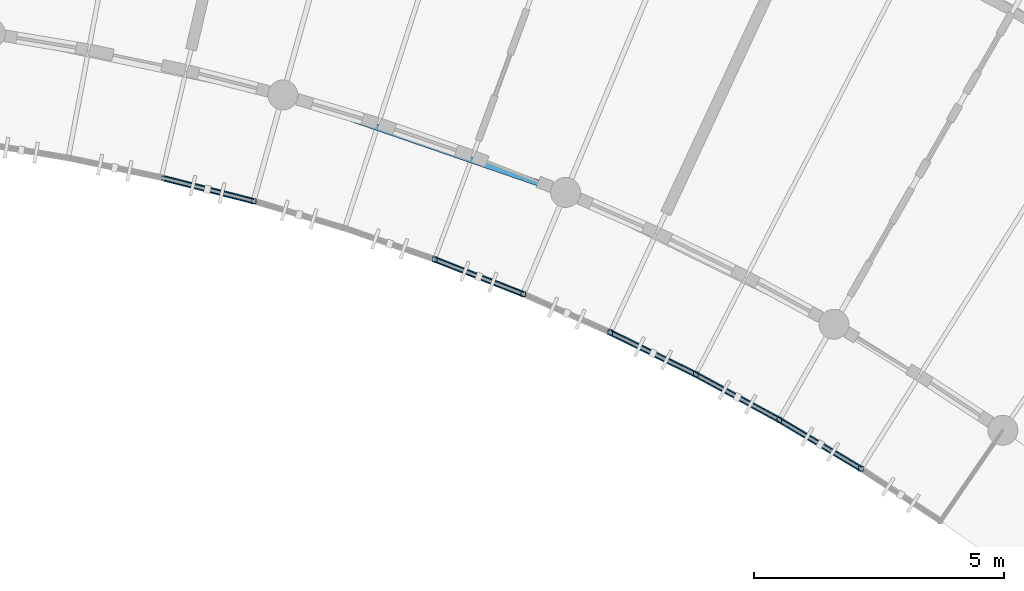
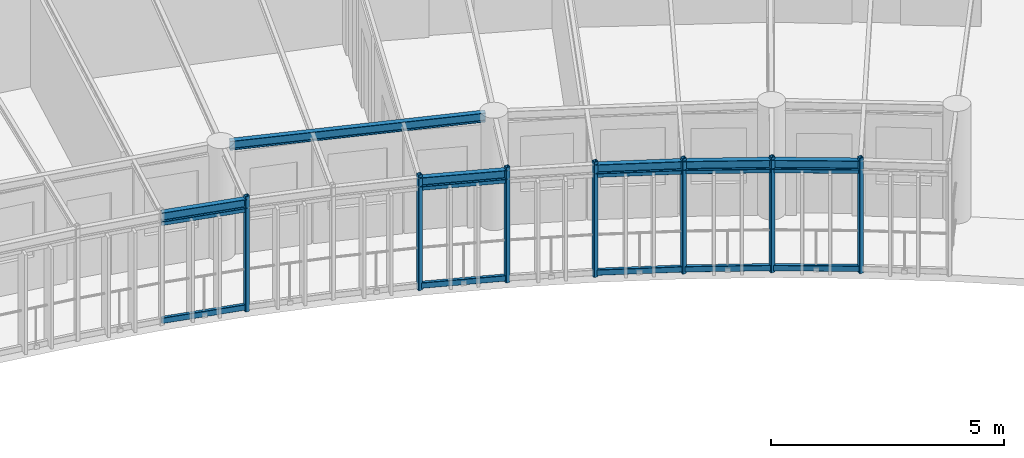
# One storey, part 38 of 100: 17 members, 6 beams.
"""IFC4 building model written with IfcOpenShell, lengths in metres."""

from ifc_helpers import new_model, si_unit, direction, frame, origin, origin_2d, place, context, subcontext, project, spatial, hollow_rectangle, i_section, extrude, material, material_profile, profile_set, type_object, element, save


model = new_model("IFC4")

# Units and contexts
model_context = context("Model", 3, precision=1e-05, world=origin(), true_north=direction((0.0, 1.0)))
body_context = subcontext(model_context, "Body", "Model", "MODEL_VIEW")
ifc_project = project(units=[si_unit("LENGTHUNIT", "METRE"), si_unit("AREAUNIT", "SQUARE_METRE"), si_unit("VOLUMEUNIT", "CUBIC_METRE"), si_unit("PLANEANGLEUNIT", "RADIAN"), si_unit("MASSUNIT", "GRAM", prefix="KILO"), si_unit("POWERUNIT", "WATT"), si_unit("THERMODYNAMICTEMPERATUREUNIT", "KELVIN")], contexts=[model_context])

# Site, building, storey
site_placement = place(None, origin())
site = spatial("IfcSite", under=ifc_project, at=site_placement, CompositionType="ELEMENT")
building_placement = place(site_placement, origin())
building = spatial("IfcBuilding", under=site, at=building_placement, Name="Ruvembo Vaulted Housing Court", CompositionType="ELEMENT")
storey_placement = place(building_placement, frame((0.0, 0.0, 14.10009765625)))
storey = spatial("IfcBuildingStorey", under=building, at=storey_placement, Name="L04", CompositionType="ELEMENT", Elevation=14.10009765625)

# Beams
ifc_material = material(Name="Steel S355J2", Category="steel")
ifc_material_profile_1 = material_profile(ifc_material, i_section(OverallWidth=0.1201171875, OverallDepth=0.239990234375, WebThickness=0.006103515625, FlangeThickness=0.009765625, FilletRadius=0.014892578125, at=origin_2d()), Name="IPE 240")
ifc_profile_set_1 = profile_set([ifc_material_profile_1], Name="Steel S355J2")
beam_type = type_object("IfcBeamType", Name="BM-ST-IPE240", PredefinedType="BEAM", material=ifc_profile_set_1)
beam_placement = place(storey_placement, frame((129.974365234375, 96.201416015625, 2.822021484375), z_axis=(0.945359066189, -0.326031035292, 0.0), x_axis=(0.326031035292, 0.945359066189, 0.0)))
element("IfcBeam", 1, at=beam_placement, inside=storey, type_object=beam_type, Name="Scoop SC3 L04 Chord Girder F21", PredefinedType="BEAM", context=body_context, shape_type="SweptSolid", body=[
    extrude(i_section(OverallWidth=0.1201171875, OverallDepth=0.239990234375, WebThickness=0.006103515625, FlangeThickness=0.009765625, FilletRadius=0.014892578125, at=origin_2d()), origin(), (0.0, 0.0, 1.0), 5.59375),
])
for number, where, z_axis, x_axis, name in (
    (2, (127.365966796875, 94.611572265625, 2.81982421875), (0.969121730429, -0.246582788553, 0.0), (0.246582788553, 0.969121730429, 0.0), "Scoop SC3 L04 Balcony Edge Spandrel 20"),
    (3, (132.826904296875, 92.978515625, 2.81982421875), (0.931005720133, -0.365004587752, 0.0), (0.365004587752, 0.931005720133, 0.0), "Scoop SC3 L04 Balcony Edge Spandrel 23"),
):
    element("IfcBeam", number, at=place(storey_placement, frame(where, z_axis=z_axis, x_axis=x_axis)), inside=storey, type_object=beam_type, Name=name, PredefinedType="BEAM", context=body_context, shape_type="SweptSolid", body=[
        extrude(i_section(OverallWidth=0.1201171875, OverallDepth=0.239990234375, WebThickness=0.006103515625, FlangeThickness=0.009765625, FilletRadius=0.014892578125, at=origin_2d()), origin(), (0.0, 0.0, 1.0), 1.90087890625),
    ])
for number, where, z_axis, x_axis, name in (
    (4, (136.336181640625, 91.51806640625, 2.81982421875), (0.897513310314, -0.44098736695, 0.0), (0.44098736695, 0.897513310314, 0.0), "Scoop SC3 L04 Balcony Edge Spandrel 25"),
    (5, (138.04248046875, 90.6796875, 2.81982421875), (0.878513214386, -0.477718046706, 0.0), (0.477718046706, 0.878513214386, 0.0), "Scoop SC3 L04 Balcony Edge Spandrel 26"),
    (6, (139.712646484375, 89.771484375, 2.81982421875), (0.857889282303, -0.513834583607, 0.0), (0.513834583607, 0.857889282303, 0.0), "Scoop SC3 L04 Balcony Edge Spandrel 27"),
):
    element("IfcBeam", number, at=place(storey_placement, frame(where, z_axis=z_axis, x_axis=x_axis)), inside=storey, type_object=beam_type, Name=name, PredefinedType="BEAM", context=body_context, shape_type="SweptSolid", body=[
        extrude(i_section(OverallWidth=0.1201171875, OverallDepth=0.239990234375, WebThickness=0.006103515625, FlangeThickness=0.009765625, FilletRadius=0.014892578125, at=origin_2d()), origin(), (0.0, 0.0, 1.0), 1.901123046875),
    ])

# Members
ifc_material_profile_2 = material_profile(ifc_material, hollow_rectangle(XDim=0.06005859375, YDim=0.1201171875, WallThickness=0.0048828125, InnerFilletRadius=0.0048828125, OuterFilletRadius=0.010009765625, at=origin_2d()), Name="RHS 120x60x5")
ifc_profile_set_2 = profile_set([ifc_material_profile_2], Name="Steel S355J2")
member_type_1 = type_object("IfcMemberType", Name="MEM-CAR-RHS120", PredefinedType="CHORD", material=ifc_profile_set_2)
for number, where, z_axis, x_axis, name in (
    (7, (127.365966796875, 94.611572265625, 2.642822265625), (0.969121730429, -0.246582788553, 0.0), (0.246582788553, 0.969121730429, 0.0), "Scoop SC3 L04 Upper Louvre Carrier Rail 20"),
    (8, (132.826904296875, 92.978515625, 2.642822265625), (0.931005720133, -0.365004587752, 0.0), (0.365004587752, 0.931005720133, 0.0), "Scoop SC3 L04 Upper Louvre Carrier Rail 23"),
):
    element("IfcMember", number, at=place(storey_placement, frame(where, z_axis=z_axis, x_axis=x_axis)), inside=storey, type_object=member_type_1, Name=name, PredefinedType="CHORD", context=body_context, shape_type="SweptSolid", body=[
        extrude(hollow_rectangle(XDim=0.06005859375, YDim=0.1201171875, WallThickness=0.0048828125, InnerFilletRadius=0.0048828125, OuterFilletRadius=0.010009765625, at=origin_2d()), origin(), (0.0, 0.0, 1.0), 1.90087890625),
    ])
for number, where, z_axis, x_axis, name in (
    (9, (136.336181640625, 91.51806640625, 2.642822265625), (0.897513310314, -0.44098736695, 0.0), (0.44098736695, 0.897513310314, 0.0), "Scoop SC3 L04 Upper Louvre Carrier Rail 25"),
    (10, (138.04248046875, 90.6796875, 2.642822265625), (0.878513214386, -0.477718046706, 0.0), (0.477718046706, 0.878513214386, 0.0), "Scoop SC3 L04 Upper Louvre Carrier Rail 26"),
    (11, (139.712646484375, 89.771484375, 2.642822265625), (0.857889282303, -0.513834583607, 0.0), (0.513834583607, 0.857889282303, 0.0), "Scoop SC3 L04 Upper Louvre Carrier Rail 27"),
):
    element("IfcMember", number, at=place(storey_placement, frame(where, z_axis=z_axis, x_axis=x_axis)), inside=storey, type_object=member_type_1, Name=name, PredefinedType="CHORD", context=body_context, shape_type="SweptSolid", body=[
        extrude(hollow_rectangle(XDim=0.06005859375, YDim=0.1201171875, WallThickness=0.0048828125, InnerFilletRadius=0.0048828125, OuterFilletRadius=0.010009765625, at=origin_2d()), origin(), (0.0, 0.0, 1.0), 1.901123046875),
    ])
ifc_material_profile_3 = material_profile(ifc_material, hollow_rectangle(XDim=0.080078125, YDim=0.14990234375, WallThickness=0.00634765625, InnerFilletRadius=0.00634765625, OuterFilletRadius=0.0126953125, at=origin_2d()), Name="RHS 150x80x6.3")
ifc_profile_set_3 = profile_set([ifc_material_profile_3], Name="Steel S355J2")
member_type_2 = type_object("IfcMemberType", Name="MEM-CAR-RHS150", PredefinedType="CHORD", material=ifc_profile_set_3)
for number, where, z_axis, x_axis, name in (
    (12, (127.365966796875, 94.611572265625, 0.094970703125), (0.969121730429, -0.246582788553, 0.0), (0.246582788553, 0.969121730429, 0.0), "Scoop SC3 L04 Lower Louvre Carrier Rail 20"),
    (13, (132.826904296875, 92.978515625, 0.094970703125), (0.931005720133, -0.365004587752, 0.0), (0.365004587752, 0.931005720133, 0.0), "Scoop SC3 L04 Lower Louvre Carrier Rail 23"),
):
    element("IfcMember", number, at=place(storey_placement, frame(where, z_axis=z_axis, x_axis=x_axis)), inside=storey, type_object=member_type_2, Name=name, PredefinedType="CHORD", context=body_context, shape_type="SweptSolid", body=[
        extrude(hollow_rectangle(XDim=0.080078125, YDim=0.14990234375, WallThickness=0.00634765625, InnerFilletRadius=0.00634765625, OuterFilletRadius=0.0126953125, at=origin_2d()), origin(), (0.0, 0.0, 1.0), 1.90087890625),
    ])
for number, where, z_axis, x_axis, name in (
    (14, (136.336181640625, 91.51806640625, 0.094970703125), (0.897513310314, -0.44098736695, 0.0), (0.44098736695, 0.897513310314, 0.0), "Scoop SC3 L04 Lower Louvre Carrier Rail 25"),
    (15, (138.04248046875, 90.6796875, 0.094970703125), (0.878513214386, -0.477718046706, 0.0), (0.477718046706, 0.878513214386, 0.0), "Scoop SC3 L04 Lower Louvre Carrier Rail 26"),
    (16, (139.712646484375, 89.771484375, 0.094970703125), (0.857889282303, -0.513834583607, 0.0), (0.513834583607, 0.857889282303, 0.0), "Scoop SC3 L04 Lower Louvre Carrier Rail 27"),
):
    element("IfcMember", number, at=place(storey_placement, frame(where, z_axis=z_axis, x_axis=x_axis)), inside=storey, type_object=member_type_2, Name=name, PredefinedType="CHORD", context=body_context, shape_type="SweptSolid", body=[
        extrude(hollow_rectangle(XDim=0.080078125, YDim=0.14990234375, WallThickness=0.00634765625, InnerFilletRadius=0.00634765625, OuterFilletRadius=0.0126953125, at=origin_2d()), origin(), (0.0, 0.0, 1.0), 1.901123046875),
    ])
ifc_material_profile_4 = material_profile(ifc_material, hollow_rectangle(XDim=0.10009765625, YDim=0.10009765625, WallThickness=0.00634765625, InnerFilletRadius=0.00634765625, OuterFilletRadius=0.0126953125, at=origin_2d()), Name="SHS 100x100x6.3")
ifc_profile_set_4 = profile_set([ifc_material_profile_4], Name="Steel S355J2")
member_type_3 = type_object("IfcMemberType", Name="MEM-FRM-SHS100", PredefinedType="STRUT", material=ifc_profile_set_4)
for number, where, z_axis, x_axis, name in (
    (17, (129.208251953125, 94.142822265625, -0.01513671875), (0.0, 0.0, 1.0), (1.0, 0.0, 0.0), "Scoop SC3 L04 Louvre Frame Post 21"),
    (18, (132.826904296875, 92.978515625, -0.01513671875), (0.0, 0.0, 1.0), (1.0, 0.0, 0.0), "Scoop SC3 L04 Louvre Frame Post 23"),
    (19, (134.5966796875, 92.28466796875, -0.01513671875), (0.0, 0.0, 1.0), (1.0, 0.0, 0.0), "Scoop SC3 L04 Louvre Frame Post 24"),
    (20, (136.336181640625, 91.51806640625, -0.01513671875), (0.0, 0.0, 1.0), (1.0, 0.0, 0.0), "Scoop SC3 L04 Louvre Frame Post 25"),
    (21, (138.04248046875, 90.6796875, -0.01513671875), (0.0, 0.0, 1.0), (1.0, 0.0, 0.0), "Scoop SC3 L04 Louvre Frame Post 26"),
    (22, (139.712646484375, 89.771484375, -0.01513671875), (0.0, 0.0, 1.0), (1.0, 0.0, 0.0), "Scoop SC3 L04 Louvre Frame Post 27"),
    (23, (141.343505859375, 88.794677734375, -0.01513671875), (0.0, 0.0, 1.0), (1.0, 0.0, 0.0), "Scoop SC3 L04 Louvre Frame Post 28"),
):
    element("IfcMember", number, at=place(storey_placement, frame(where, z_axis=z_axis, x_axis=x_axis)), inside=storey, type_object=member_type_3, Name=name, PredefinedType="STRUT", context=body_context, shape_type="SweptSolid", body=[
        extrude(hollow_rectangle(XDim=0.10009765625, YDim=0.10009765625, WallThickness=0.00634765625, InnerFilletRadius=0.00634765625, OuterFilletRadius=0.0126953125, at=origin_2d()), origin(), (0.0, 0.0, 1.0), 3.02294921875),
    ])

save(model, "model.ifc")
